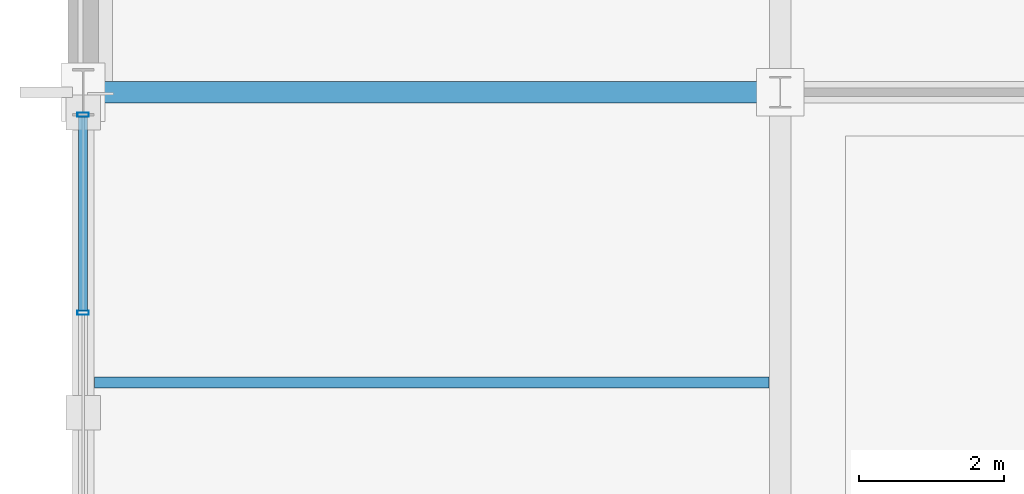
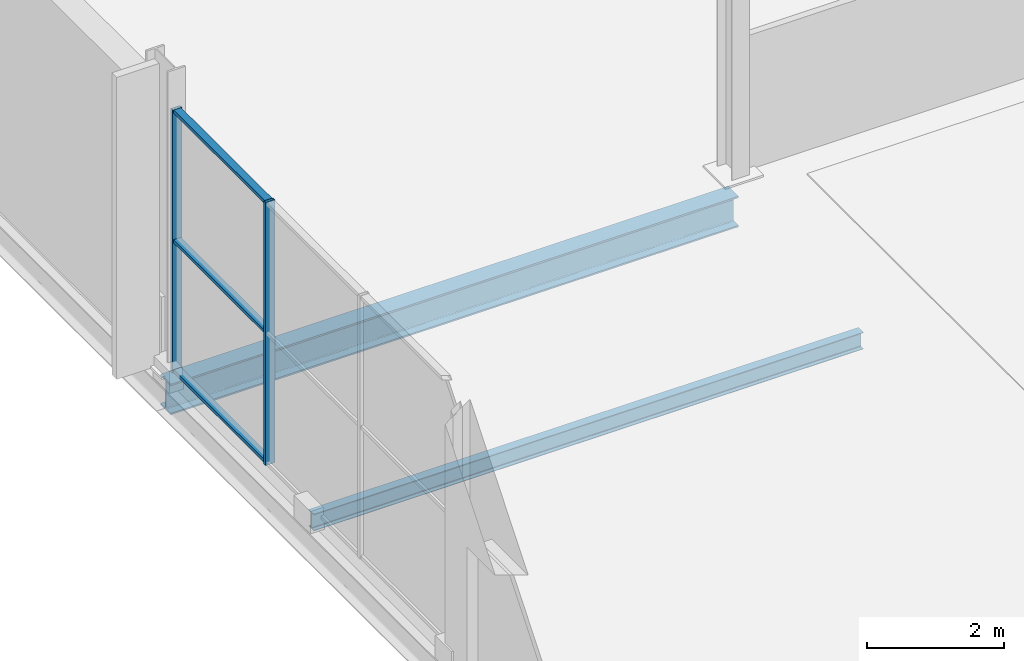
# One storey, part 91 of 196: 5 members, 2 beams, 1 element without a shape of its own.
"""IFC4 building model written with IfcOpenShell, lengths in metres."""

from ifc_helpers import new_model, si_unit, direction, frame, origin, origin_2d, place, context, subcontext, project, spatial, hollow_rectangle, i_section, extrude, material, material_profile, profile_set, type_object, element, aggregate, save


model = new_model("IFC4")

# Units and contexts
model_context = context("Model", 3, precision=1e-05, world=origin(), true_north=direction((0.0, 1.0)))
body_context = subcontext(model_context, "Body", "Model", "MODEL_VIEW")
ifc_project = project(units=[si_unit("LENGTHUNIT", "METRE"), si_unit("AREAUNIT", "SQUARE_METRE"), si_unit("VOLUMEUNIT", "CUBIC_METRE"), si_unit("PLANEANGLEUNIT", "RADIAN"), si_unit("MASSUNIT", "GRAM", prefix="KILO")], contexts=[model_context])

# Site, building, storey
site_placement = place(None, origin())
site = spatial("IfcSite", under=ifc_project, at=site_placement, CompositionType="ELEMENT")
building_placement = place(site_placement, origin())
building = spatial("IfcBuilding", under=site, at=building_placement, Name="Merenkruunu Market Hall", CompositionType="ELEMENT")
storey_placement = place(building_placement, origin())
storey = spatial("IfcBuildingStorey", under=building, at=storey_placement, Name="L00", CompositionType="ELEMENT", Elevation=0.0)

# Curtain wall, members
ifc_material_1 = material(Name="Powder-coated aluminium", Category="aluminium")
curtain_wall_type = type_object("IfcCurtainWallType", Name="Glazed Curtain Wall CW01", PredefinedType="USERDEFINED", material=ifc_material_1)
curtain_wall_placement = place(storey_placement, origin())
curtain_wall = element("IfcCurtainWall", 1, at=curtain_wall_placement, inside=storey, type_object=curtain_wall_type, Name="CW-L00-CWM01-013", ObjectType="GLAZED_FACADE", PredefinedType="USERDEFINED")
ifc_material_profile_1 = material_profile(ifc_material_1, hollow_rectangle(XDim=0.06005859375, YDim=0.159912109375, WallThickness=0.00390625, at=origin_2d()), Name="ALU 60x160x4")
ifc_profile_set_1 = profile_set([ifc_material_profile_1], Name="Powder-coated aluminium")
member_type_1 = type_object("IfcMemberType", Name="Curtain Wall Mullion CWM01", PredefinedType="MULLION", material=ifc_profile_set_1)
member_1_placement = place(storey_placement, frame((0.0, 72.563232421875, 0.0), z_axis=(0.0, 0.0, 1.0), x_axis=(0.0, 1.0, 0.0)))
member_1 = element("IfcMember", 2, at=member_1_placement, type_object=member_type_1, Name="CW01 mullion 3", PredefinedType="MULLION", context=body_context, shape_type="SweptSolid", body=[
    extrude(hollow_rectangle(XDim=0.06005859375, YDim=0.159912109375, WallThickness=0.00390625, at=origin_2d()), origin(), (0.0, 0.0, 1.0), 4.699951171875),
])
member_2_placement = place(storey_placement, frame((0.0, 75.2900390625, 0.0), z_axis=(0.0, 0.0, 1.0), x_axis=(0.0, 1.0, 0.0)))
member_2 = element("IfcMember", 3, at=member_2_placement, type_object=member_type_1, Name="CW01 mullion 4", PredefinedType="MULLION", context=body_context, shape_type="SweptSolid", body=[
    extrude(hollow_rectangle(XDim=0.06005859375, YDim=0.159912109375, WallThickness=0.00390625, at=origin_2d()), origin(), (0.0, 0.0, 1.0), 4.699951171875),
])
ifc_material_profile_2 = material_profile(ifc_material_1, hollow_rectangle(XDim=0.06005859375, YDim=0.125, WallThickness=0.00390625, at=origin_2d()), Name="ALU 60x125x4")
ifc_profile_set_2 = profile_set([ifc_material_profile_2], Name="Powder-coated aluminium")
member_type_2 = type_object("IfcMemberType", Name="Curtain Wall Transom CWT01", PredefinedType="USERDEFINED", material=ifc_profile_set_2)
member_3_placement = place(storey_placement, frame((0.0, 72.59326171875, 0.030029296875), z_axis=(0.0, 1.0, 0.0), x_axis=(0.0, 0.0, 1.0)))
member_3 = element("IfcMember", 4, at=member_3_placement, type_object=member_type_2, Name="CW01 transom 3.1", ObjectType="TRANSOM", PredefinedType="USERDEFINED", context=body_context, shape_type="SweptSolid", body=[
    extrude(hollow_rectangle(XDim=0.06005859375, YDim=0.125, WallThickness=0.00390625, at=origin_2d()), origin(), (0.0, 0.0, 1.0), 2.666748046875),
])
member_4_placement = place(storey_placement, frame((0.0, 72.59326171875, 2.35009765625), z_axis=(0.0, 1.0, 0.0), x_axis=(0.0, 0.0, 1.0)))
member_4 = element("IfcMember", 5, at=member_4_placement, type_object=member_type_2, Name="CW01 transom 3.2", ObjectType="TRANSOM", PredefinedType="USERDEFINED", context=body_context, shape_type="SweptSolid", body=[
    extrude(hollow_rectangle(XDim=0.06005859375, YDim=0.125, WallThickness=0.00390625, at=origin_2d()), origin(), (0.0, 0.0, 1.0), 2.666748046875),
])
member_5_placement = place(storey_placement, frame((0.0, 72.59326171875, 4.669921875), z_axis=(0.0, 1.0, 0.0), x_axis=(0.0, 0.0, 1.0)))
member_5 = element("IfcMember", 6, at=member_5_placement, type_object=member_type_2, Name="CW01 transom 3.3", ObjectType="TRANSOM", PredefinedType="USERDEFINED", context=body_context, shape_type="SweptSolid", body=[
    extrude(hollow_rectangle(XDim=0.06005859375, YDim=0.125, WallThickness=0.00390625, at=origin_2d()), origin(), (0.0, 0.0, 1.0), 2.666748046875),
])
aggregate(curtain_wall, [member_1, member_2, member_3, member_4, member_5])

# Beams
ifc_material_2 = material(Name="Steel S355J2", Category="steel")
ifc_material_profile_3 = material_profile(ifc_material_2, i_section(OverallWidth=0.300048828125, OverallDepth=0.550048828125, WebThickness=0.014892578125, FlangeThickness=0.029052734375, FilletRadius=0.027099609375, at=origin_2d()), Name="HEB 550")
ifc_profile_set_3 = profile_set([ifc_material_profile_3], Name="Steel S355J2")
beam_type_1 = type_object("IfcBeamType", Name="Primary Floor Girder B02", PredefinedType="BEAM", material=ifc_profile_set_3)
beam_1_placement = place(storey_placement, frame((0.0, 75.60009765625, -0.614990234375), z_axis=(1.0, 0.0, 0.0), x_axis=(0.0, 1.0, 0.0)))
element("IfcBeam", 7, at=beam_1_placement, inside=storey, type_object=beam_type_1, Name="BM-L00-B02-0098", PredefinedType="BEAM", context=body_context, shape_type="SweptSolid", body=[
    extrude(i_section(OverallWidth=0.300048828125, OverallDepth=0.550048828125, WebThickness=0.014892578125, FlangeThickness=0.029052734375, FilletRadius=0.027099609375, at=origin_2d()), origin(), (0.0, 0.0, 1.0), 9.60009765625),
])
ifc_material_profile_4 = material_profile(ifc_material_2, i_section(OverallWidth=0.14990234375, OverallDepth=0.300048828125, WebThickness=0.007080078125, FlangeThickness=0.0107421875, FilletRadius=0.014892578125, at=origin_2d()), Name="IPE 300")
ifc_profile_set_4 = profile_set([ifc_material_profile_4], Name="Steel S355J2")
beam_type_2 = type_object("IfcBeamType", Name="Secondary Floor Joist J04", PredefinedType="JOIST", material=ifc_profile_set_4)
beam_2_placement = place(storey_placement, frame((0.153076171875, 71.60009765625, -0.489990234375), z_axis=(1.0, 0.0, 0.0), x_axis=(0.0, 1.0, 0.0)))
element("IfcBeam", 8, at=beam_2_placement, inside=storey, type_object=beam_type_2, Name="BM-L00-J04-0283", PredefinedType="JOIST", context=body_context, shape_type="SweptSolid", body=[
    extrude(i_section(OverallWidth=0.14990234375, OverallDepth=0.300048828125, WebThickness=0.007080078125, FlangeThickness=0.0107421875, FilletRadius=0.014892578125, at=origin_2d()), origin(), (0.0, 0.0, 1.0), 9.2939453125),
])

save(model, "model.ifc")
